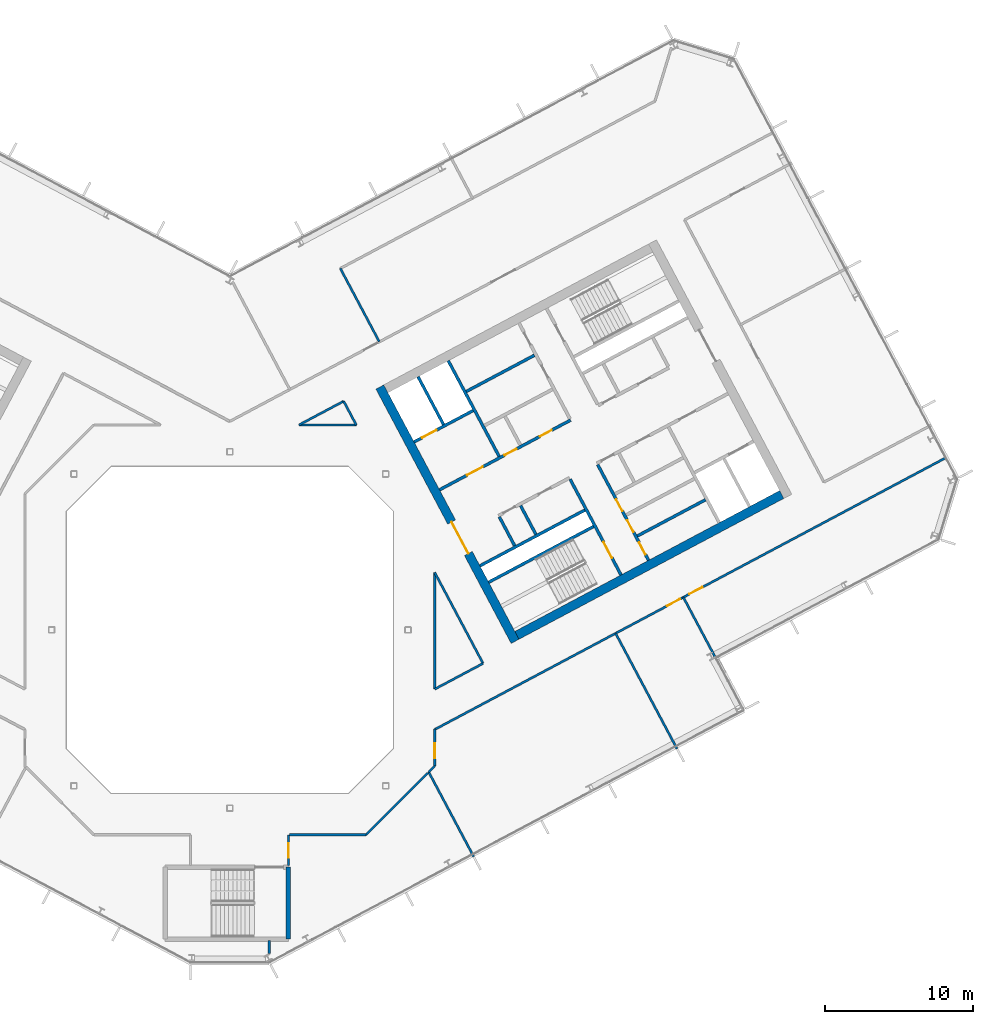
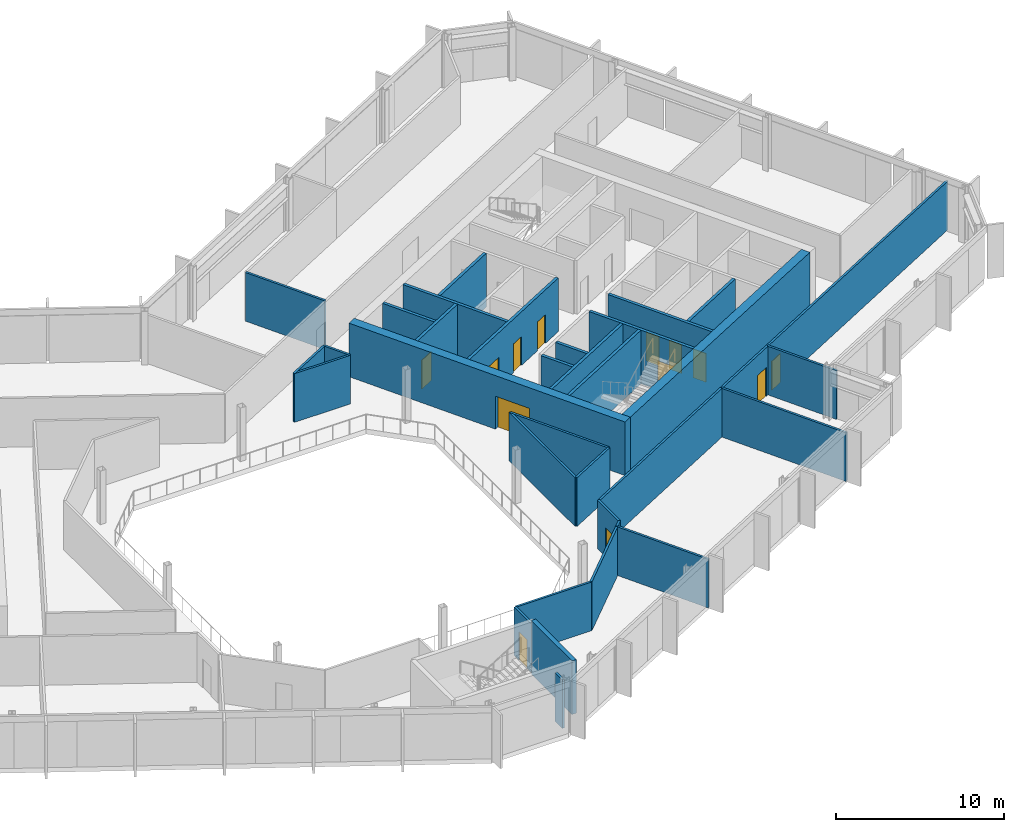
# One storey, part 15 of 26: 32 walls, 13 doors, 13 openings.
"""IFC4 building model written with IfcOpenShell, lengths in metres."""

from ifc_helpers import new_model, si_unit, direction, frame, frame_2d, origin, place, context, subcontext, project, spatial, rectangle, extrude, material, layer, layer_set, type_object, element, fill, save


model = new_model("IFC4")

# Units and contexts
model_context = context("Model", 3, precision=1e-05, world=origin(), true_north=direction((0.0, 1.0)))
body_context = subcontext(model_context, "Body", "Model", "MODEL_VIEW")
ifc_project = project(units=[si_unit("LENGTHUNIT", "METRE"), si_unit("AREAUNIT", "SQUARE_METRE"), si_unit("VOLUMEUNIT", "CUBIC_METRE"), si_unit("PLANEANGLEUNIT", "RADIAN"), si_unit("MASSUNIT", "GRAM", prefix="KILO")], contexts=[model_context])

# Site, building, storey
site_placement = place(None, origin())
site = spatial("IfcSite", under=ifc_project, at=site_placement, CompositionType="ELEMENT")
building_placement = place(site_placement, origin())
building = spatial("IfcBuilding", under=site, at=building_placement, Name="Cormorant Relay Tower", CompositionType="ELEMENT")
storey_placement = place(building_placement, frame((0.0, 0.0, 193.5)))
storey = spatial("IfcBuildingStorey", under=building, at=storey_placement, Name="L41", CompositionType="ELEMENT", Elevation=193.5)

# Walls
ifc_material_1 = material(Name="Concrete 40 MPa", Category="concrete")
ifc_layer_1 = layer(ifc_material_1, 0.199951171875)
ifc_layer_set_1 = layer_set([ifc_layer_1], Name="Core internal wall 200")
wall_type_1 = type_object("IfcWallType", Name="Core internal wall 200", PredefinedType="SOLIDWALL", material=ifc_layer_set_1)
wall_1_placement = place(storey_placement, frame((20.614013671875, 6.430419921875, 0.0), z_axis=(0.0, 0.0, 1.0), x_axis=(-0.4694473164, 0.882960484464, 0.0)))
element("IfcWall", 1, at=wall_1_placement, inside=storey, type_object=wall_type_1, Name="L41 core B shaft and room wall", PredefinedType="SOLIDWALL", context=body_context, shape_type="SweptSolid", body=[
    extrude(rectangle(XDim=2.199951171875, YDim=0.199951171875, at=frame_2d((1.10009765625, 0.0))), origin(), (0.0, 0.0, 1.0), 3.89990234375),
])
for number, where, z_axis, x_axis, name in (
    (2, (27.443359375, 6.32421875, 0.0), (0.0, 0.0, 1.0), (0.882953967957, 0.469459572775, 0.0), "L41 core B shaft and room wall"),
    (3, (15.92626953125, 16.056396484375, 0.0), (0.0, 0.0, 1.0), (0.882953967957, 0.469459572775, 0.0), "L41 core B shaft and room wall"),
):
    element("IfcWall", number, at=place(storey_placement, frame(where, z_axis=z_axis, x_axis=x_axis)), inside=storey, type_object=wall_type_1, Name=name, PredefinedType="SOLIDWALL", context=body_context, shape_type="SweptSolid", body=[
        extrude(rectangle(XDim=5.199951171875, YDim=0.199951171875, at=frame_2d((2.60009765625, 0.0))), origin(), (0.0, 0.0, 1.0), 3.89990234375),
    ])
ifc_material_2 = material(Name="Concrete 50 MPa", Category="concrete")
ifc_layer_2 = layer(ifc_material_2, 0.199951171875)
ifc_layer_set_2 = layer_set([ifc_layer_2], Name="Core shaft wall 200")
wall_type_2 = type_object("IfcWallType", Name="Core shaft wall 200", PredefinedType="SHEAR", material=ifc_layer_set_2)
wall_2_placement = place(storey_placement, frame((14.39404296875, 13.825927734375, 0.0), z_axis=(0.0, 0.0, 1.0), x_axis=(-0.469494272526, 0.882935517501, 0.0)))
element("IfcWall", 4, at=wall_2_placement, inside=storey, type_object=wall_type_2, Name="L41 core B shaft wall", PredefinedType="SHEAR", context=body_context, shape_type="SweptSolid", body=[
    extrude(rectangle(XDim=3.64990234375, YDim=0.199951171875, at=frame_2d((1.824951171875, 0.0))), origin(), (0.0, 0.0, 1.0), 3.89990234375),
])
wall_3_placement = place(storey_placement, frame((19.18359375, 5.669921875, 0.0), z_axis=(0.0, 0.0, 1.0), x_axis=(-0.4694473164, 0.882960484464, 0.0)))
element("IfcWall", 5, at=wall_3_placement, inside=storey, type_object=wall_type_2, Name="L41 core B shaft wall", PredefinedType="SHEAR", context=body_context, shape_type="SweptSolid", body=[
    extrude(rectangle(XDim=2.199951171875, YDim=0.199951171875, at=frame_2d((1.10009765625, 0.0))), origin(), (0.0, 0.0, 1.0), 3.89990234375),
])
wall_4_placement = place(storey_placement, frame((18.138427734375, 11.682861328125, 0.0), z_axis=(0.0, 0.0, 1.0), x_axis=(-0.469480409012, 0.88294288918, 0.0)))
element("IfcWall", 6, at=wall_4_placement, inside=storey, type_object=wall_type_2, Name="L41 core B shaft wall", PredefinedType="SHEAR", context=body_context, shape_type="SweptSolid", body=[
    extrude(rectangle(XDim=7.300048828125, YDim=0.199951171875, at=frame_2d((3.64990234375, 0.0))), origin(), (0.0, 0.0, 1.0), 3.89990234375),
])

# Wall, opening, door
wall_5_placement = place(storey_placement, frame((26.345947265625, 3.701904296875, 0.0), z_axis=(0.0, 0.0, 1.0), x_axis=(-0.469480409012, 0.88294288918, 0.0)))
wall_5 = element("IfcWall", 7, at=wall_5_placement, inside=storey, type_object=wall_type_2, Name="L41 core B shaft wall", PredefinedType="SHEAR", context=body_context, shape_type="SweptSolid", body=[
    extrude(rectangle(XDim=7.300048828125, YDim=0.199951171875, at=frame_2d((3.64990234375, 0.0))), origin(), (0.0, 0.0, 1.0), 3.89990234375),
])
opening_1_placement = place(wall_5_placement, frame((1.300048828125, 0.0, 0.0)))
opening_1 = element("IfcOpeningElement", 8, at=opening_1_placement, cuts=wall_5, Name="Opening CDB-040", PredefinedType="OPENING", context=body_context, shape_type="SweptSolid", body=[
    extrude(rectangle(XDim=1.199951171875, YDim=2.10009765625, at=frame_2d((0.60009765625, 1.050048828125))), frame((0.0, 0.10986328125, 0.0), z_axis=(0.0, -1.0, 0.0), x_axis=(1.0, 0.0, 0.0)), (0.0, 0.0, 1.0), 0.219970703125),
])
ifc_material_3 = material(Name="Steel fire door", Category="steel")
door_type_1 = type_object("IfcDoorType", Name="Core stair door 1200x2100", OperationType="SINGLE_SWING_LEFT", PredefinedType="DOOR", material=ifc_material_3)
door_1_placement = place(opening_1_placement, origin())
door_1 = element("IfcDoor", 9, at=door_1_placement, inside=storey, type_object=door_type_1, Name="Core stair door 1200x2100", OperationType="SINGLE_SWING_RIGHT", OverallHeight=2.10009765625, OverallWidth=1.199951171875, PredefinedType="DOOR", context=body_context, shape_type="SweptSolid", body=[
    extrude(rectangle(XDim=1.199951171875, YDim=2.10009765625, at=frame_2d((0.60009765625, 1.050048828125))), frame((0.0, 0.02490234375, 0.0), z_axis=(0.0, -1.0, 0.0), x_axis=(1.0, 0.0, 0.0)), (0.0, 0.0, 1.0), 0.050048828125),
])
fill(opening_1, door_1)

# Wall, openings, doors
wall_6_placement = place(storey_placement, frame((28.199951171875, 4.687744140625, 0.0), z_axis=(0.0, 0.0, 1.0), x_axis=(-0.469454336211, 0.882956752176, 0.0)))
wall_6 = element("IfcWall", 10, at=wall_6_placement, inside=storey, type_object=wall_type_2, Name="L41 core B shaft wall", PredefinedType="SHEAR", context=body_context, shape_type="SweptSolid", body=[
    extrude(rectangle(XDim=7.300048828125, YDim=0.199951171875, at=frame_2d((3.64990234375, 0.0))), origin(), (0.0, 0.0, 1.0), 3.89990234375),
])
opening_2_placement = place(wall_6_placement, frame((0.449951171875, 0.0, 0.0)))
opening_2 = element("IfcOpeningElement", 11, at=opening_2_placement, cuts=wall_6, Name="Opening CDD-251", PredefinedType="OPENING", context=body_context, shape_type="SweptSolid", body=[
    extrude(rectangle(XDim=0.89990234375, YDim=2.10009765625, at=frame_2d((0.449951171875, 1.050048828125))), frame((0.0, 0.10986328125, 0.0), z_axis=(0.0, -1.0, 0.0), x_axis=(1.0, 0.0, 0.0)), (0.0, 0.0, 1.0), 0.219970703125),
])
opening_3_placement = place(wall_6_placement, frame((2.14990234375, 0.0, 0.0)))
opening_3 = element("IfcOpeningElement", 12, at=opening_3_placement, cuts=wall_6, Name="Opening CDD-252", PredefinedType="OPENING", context=body_context, shape_type="SweptSolid", body=[
    extrude(rectangle(XDim=0.89990234375, YDim=2.10009765625, at=frame_2d((0.449951171875, 1.050048828125))), frame((0.0, 0.10986328125, 0.0), z_axis=(0.0, -1.0, 0.0), x_axis=(1.0, 0.0, 0.0)), (0.0, 0.0, 1.0), 0.219970703125),
])
opening_4_placement = place(wall_6_placement, frame((3.75, 0.0, 0.0)))
opening_4 = element("IfcOpeningElement", 13, at=opening_4_placement, cuts=wall_6, Name="Opening CDD-253", PredefinedType="OPENING", context=body_context, shape_type="SweptSolid", body=[
    extrude(rectangle(XDim=0.89990234375, YDim=2.10009765625, at=frame_2d((0.449951171875, 1.050048828125))), frame((0.0, 0.10986328125, 0.0), z_axis=(0.0, -1.0, 0.0), x_axis=(1.0, 0.0, 0.0)), (0.0, 0.0, 1.0), 0.219970703125),
])
ifc_material_4 = material(Name="Steel fire door", Category="steel")
door_type_2 = type_object("IfcDoorType", Name="Core room door 900x2100", OperationType="SINGLE_SWING_LEFT", PredefinedType="DOOR", material=ifc_material_4)
door_2_placement = place(opening_2_placement, frame((0.89990234375, 0.0, 0.0), z_axis=(0.0, 0.0, 1.0), x_axis=(-1.0, 0.0, 0.0)))
door_2 = element("IfcDoor", 14, at=door_2_placement, inside=storey, type_object=door_type_2, Name="Core room door 900x2100", OperationType="SINGLE_SWING_LEFT", OverallHeight=2.10009765625, OverallWidth=0.89990234375, PredefinedType="DOOR", context=body_context, shape_type="SweptSolid", body=[
    extrude(rectangle(XDim=0.89990234375, YDim=2.10009765625, at=frame_2d((0.449951171875, 1.050048828125))), frame((0.0, 0.02490234375, 0.0), z_axis=(0.0, -1.0, 0.0), x_axis=(1.0, 0.0, 0.0)), (0.0, 0.0, 1.0), 0.050048828125),
])
fill(opening_2, door_2)
door_3_placement = place(opening_3_placement, frame((0.89990234375, 0.0, 0.0), z_axis=(0.0, 0.0, 1.0), x_axis=(-1.0, 0.0, 0.0)))
door_3 = element("IfcDoor", 15, at=door_3_placement, inside=storey, type_object=door_type_2, Name="Core room door 900x2100", OperationType="SINGLE_SWING_LEFT", OverallHeight=2.10009765625, OverallWidth=0.89990234375, PredefinedType="DOOR", context=body_context, shape_type="SweptSolid", body=[
    extrude(rectangle(XDim=0.89990234375, YDim=2.10009765625, at=frame_2d((0.449951171875, 1.050048828125))), frame((0.0, 0.02490234375, 0.0), z_axis=(0.0, -1.0, 0.0), x_axis=(1.0, 0.0, 0.0)), (0.0, 0.0, 1.0), 0.050048828125),
])
fill(opening_3, door_3)
door_4_placement = place(opening_4_placement, frame((0.89990234375, 0.0, 0.0), z_axis=(0.0, 0.0, 1.0), x_axis=(-1.0, 0.0, 0.0)))
door_4 = element("IfcDoor", 16, at=door_4_placement, inside=storey, type_object=door_type_2, Name="Core room door 900x2100", OperationType="SINGLE_SWING_LEFT", OverallHeight=2.10009765625, OverallWidth=0.89990234375, PredefinedType="DOOR", context=body_context, shape_type="SweptSolid", body=[
    extrude(rectangle(XDim=0.89990234375, YDim=2.10009765625, at=frame_2d((0.449951171875, 1.050048828125))), frame((0.0, 0.02490234375, 0.0), z_axis=(0.0, -1.0, 0.0), x_axis=(1.0, 0.0, 0.0)), (0.0, 0.0, 1.0), 0.050048828125),
])
fill(opening_4, door_4)

# Walls
for number, where, z_axis, x_axis, name in (
    (17, (17.43359375, 3.210205078125, 0.0), (0.0, 0.0, 1.0), (0.882940221191, 0.469485426614, 0.0), "L41 core B shaft wall"),
    (18, (16.8466796875, 4.31396484375, 0.0), (0.0, 0.0, 1.0), (0.882940221191, 0.469485426614, 0.0), "L41 core B shaft wall"),
):
    element("IfcWall", number, at=place(storey_placement, frame(where, z_axis=z_axis, x_axis=x_axis)), inside=storey, type_object=wall_type_2, Name=name, PredefinedType="SHEAR", context=body_context, shape_type="SweptSolid", body=[
        extrude(rectangle(XDim=8.0, YDim=0.199951171875, at=frame_2d((4.0, 0.0))), origin(), (0.0, 0.0, 1.0), 3.89990234375),
    ])

# Wall, openings, doors
wall_7_placement = place(storey_placement, frame((14.123779296875, 9.43505859375, 0.0), z_axis=(0.0, 0.0, 1.0), x_axis=(0.882940221191, 0.469485426614, 0.0)))
wall_7 = element("IfcWall", 19, at=wall_7_placement, inside=storey, type_object=wall_type_2, Name="L41 core B shaft wall", PredefinedType="SHEAR", context=body_context, shape_type="SweptSolid", body=[
    extrude(rectangle(XDim=10.0, YDim=0.199951171875, at=frame_2d((5.0, 0.0))), origin(), (0.0, 0.0, 1.0), 3.89990234375),
])
opening_5_placement = place(wall_7_placement, frame((2.10009765625, 0.0, 0.0)))
opening_5 = element("IfcOpeningElement", 20, at=opening_5_placement, cuts=wall_7, Name="Opening CDC-035", PredefinedType="OPENING", context=body_context, shape_type="SweptSolid", body=[
    extrude(rectangle(XDim=1.199951171875, YDim=2.10009765625, at=frame_2d((0.60009765625, 1.050048828125))), frame((0.0, 0.10986328125, 0.0), z_axis=(0.0, -1.0, 0.0), x_axis=(1.0, 0.0, 0.0)), (0.0, 0.0, 1.0), 0.219970703125),
])
opening_6_placement = place(wall_7_placement, frame((4.9599609375, 0.0, 0.0)))
opening_6 = element("IfcOpeningElement", 21, at=opening_6_placement, cuts=wall_7, Name="Opening CDD-241", PredefinedType="OPENING", context=body_context, shape_type="SweptSolid", body=[
    extrude(rectangle(XDim=0.89990234375, YDim=2.10009765625, at=frame_2d((0.449951171875, 1.050048828125))), frame((0.0, 0.10986328125, 0.0), z_axis=(0.0, -1.0, 0.0), x_axis=(1.0, 0.0, 0.0)), (0.0, 0.0, 1.0), 0.219970703125),
])
opening_7_placement = place(wall_7_placement, frame((7.659912109375, 0.0, 0.0)))
opening_7 = element("IfcOpeningElement", 22, at=opening_7_placement, cuts=wall_7, Name="Opening CDD-242", PredefinedType="OPENING", context=body_context, shape_type="SweptSolid", body=[
    extrude(rectangle(XDim=0.89990234375, YDim=2.10009765625, at=frame_2d((0.449951171875, 1.050048828125))), frame((0.0, 0.10986328125, 0.0), z_axis=(0.0, -1.0, 0.0), x_axis=(1.0, 0.0, 0.0)), (0.0, 0.0, 1.0), 0.219970703125),
])
ifc_material_5 = material(Name="Steel fire door", Category="steel")
door_type_3 = type_object("IfcDoorType", Name="Core lobby door 1200x2100", OperationType="SINGLE_SWING_LEFT", PredefinedType="DOOR", material=ifc_material_5)
door_5_placement = place(opening_5_placement, frame((1.199951171875, 0.0, 0.0), z_axis=(0.0, 0.0, 1.0), x_axis=(-1.0, 0.0, 0.0)))
door_5 = element("IfcDoor", 23, at=door_5_placement, inside=storey, type_object=door_type_3, Name="Core lobby door 1200x2100", OperationType="SINGLE_SWING_RIGHT", OverallHeight=2.10009765625, OverallWidth=1.199951171875, PredefinedType="DOOR", context=body_context, shape_type="SweptSolid", body=[
    extrude(rectangle(XDim=1.199951171875, YDim=2.10009765625, at=frame_2d((0.60009765625, 1.050048828125))), frame((0.0, 0.02490234375, 0.0), z_axis=(0.0, -1.0, 0.0), x_axis=(1.0, 0.0, 0.0)), (0.0, 0.0, 1.0), 0.050048828125),
])
fill(opening_5, door_5)
door_6_placement = place(opening_6_placement, frame((0.89990234375, 0.0, 0.0), z_axis=(0.0, 0.0, 1.0), x_axis=(-1.0, 0.0, 0.0)))
door_6 = element("IfcDoor", 24, at=door_6_placement, inside=storey, type_object=door_type_2, Name="Core room door 900x2100", OperationType="SINGLE_SWING_RIGHT", OverallHeight=2.10009765625, OverallWidth=0.89990234375, PredefinedType="DOOR", context=body_context, shape_type="SweptSolid", body=[
    extrude(rectangle(XDim=0.89990234375, YDim=2.10009765625, at=frame_2d((0.449951171875, 1.050048828125))), frame((0.0, 0.02490234375, 0.0), z_axis=(0.0, -1.0, 0.0), x_axis=(1.0, 0.0, 0.0)), (0.0, 0.0, 1.0), 0.050048828125),
])
fill(opening_6, door_6)
door_7_placement = place(opening_7_placement, frame((0.89990234375, 0.0, 0.0), z_axis=(0.0, 0.0, 1.0), x_axis=(-1.0, 0.0, 0.0)))
door_7 = element("IfcDoor", 25, at=door_7_placement, inside=storey, type_object=door_type_2, Name="Core room door 900x2100", OperationType="SINGLE_SWING_RIGHT", OverallHeight=2.10009765625, OverallWidth=0.89990234375, PredefinedType="DOOR", context=body_context, shape_type="SweptSolid", body=[
    extrude(rectangle(XDim=0.89990234375, YDim=2.10009765625, at=frame_2d((0.449951171875, 1.050048828125))), frame((0.0, 0.02490234375, 0.0), z_axis=(0.0, -1.0, 0.0), x_axis=(1.0, 0.0, 0.0)), (0.0, 0.0, 1.0), 0.050048828125),
])
fill(opening_7, door_7)

# Wall, opening, door
wall_8_placement = place(storey_placement, frame((12.41015625, 12.657958984375, 0.0), z_axis=(0.0, 0.0, 1.0), x_axis=(0.8829484765, 0.469469900894, 0.0)))
wall_8 = element("IfcWall", 26, at=wall_8_placement, inside=storey, type_object=wall_type_2, Name="L41 core B shaft wall", PredefinedType="SHEAR", context=body_context, shape_type="SweptSolid", body=[
    extrude(rectangle(XDim=4.499755859375, YDim=0.199951171875, at=frame_2d((2.25, 0.0))), origin(), (0.0, 0.0, 1.0), 3.89990234375),
])
opening_8_placement = place(wall_8_placement, frame((0.60009765625, 0.0, 0.0)))
opening_8 = element("IfcOpeningElement", 27, at=opening_8_placement, cuts=wall_8, Name="Opening LD1-064", PredefinedType="OPENING", context=body_context, shape_type="SweptSolid", body=[
    extrude(rectangle(XDim=1.10009765625, YDim=2.10009765625, at=frame_2d((0.550048828125, 1.050048828125))), frame((0.0, 0.10986328125, 0.0), z_axis=(0.0, -1.0, 0.0), x_axis=(1.0, 0.0, 0.0)), (0.0, 0.0, 1.0), 0.219970703125),
])
ifc_material_6 = material(Name="Stainless steel 316", Category="steel")
door_type_4 = type_object("IfcDoorType", Name="Lift landing door 1100x2100", OperationType="DOUBLE_DOOR_SLIDING", PredefinedType="DOOR", material=ifc_material_6)
door_8_placement = place(opening_8_placement, origin())
door_8 = element("IfcDoor", 28, at=door_8_placement, inside=storey, type_object=door_type_4, Name="FF2 landing door", OperationType="DOUBLE_DOOR_SLIDING", OverallHeight=2.10009765625, OverallWidth=1.10009765625, PredefinedType="DOOR", context=body_context, shape_type="SweptSolid", body=[
    extrude(rectangle(XDim=1.10009765625, YDim=2.10009765625, at=frame_2d((0.550048828125, 1.050048828125))), frame((0.0, 0.02490234375, 0.0), z_axis=(0.0, -1.0, 0.0), x_axis=(1.0, 0.0, 0.0)), (0.0, 0.0, 1.0), 0.050048828125),
])
fill(opening_8, door_8)

ifc_material_7 = material(Name="Concrete 50 MPa", Category="concrete")
ifc_layer_3 = layer(ifc_material_7, 0.60009765625)
ifc_layer_set_3 = layer_set([ifc_layer_3], Name="Core wall 600")
wall_type_3 = type_object("IfcWallType", Name="Core wall 600", PredefinedType="SHEAR", material=ifc_layer_set_3)
wall_9_placement = place(storey_placement, frame((19.210693359375, -0.771484375, 0.0), z_axis=(0.0, 0.0, 1.0), x_axis=(-0.469463742137, 0.882951751127, 0.0)))
wall_9 = element("IfcWall", 29, at=wall_9_placement, inside=storey, type_object=wall_type_3, Name="L41 core B wall", PredefinedType="SHEAR", context=body_context, shape_type="SweptSolid", body=[
    extrude(rectangle(XDim=19.400146484375, YDim=0.60009765625, at=frame_2d((9.7001953125, 0.0))), origin(), (0.0, 0.0, 1.0), 3.89990234375),
])
opening_9_placement = place(wall_9_placement, frame((6.699951171875, 0.0, 0.0)))
opening_9 = element("IfcOpeningElement", 30, at=opening_9_placement, cuts=wall_9, Name="Opening CDA-042", PredefinedType="OPENING", context=body_context, shape_type="SweptSolid", body=[
    extrude(rectangle(XDim=2.39990234375, YDim=2.39990234375, at=frame_2d((1.199951171875, 1.199951171875))), frame((0.0, 0.31005859375, 0.0), z_axis=(0.0, -1.0, 0.0), x_axis=(1.0, 0.0, 0.0)), (0.0, 0.0, 1.0), 0.6201171875),
])
ifc_material_8 = material(Name="Steel fire door", Category="steel")
door_type_5 = type_object("IfcDoorType", Name="Core lobby door 2400x2400", OperationType="DOUBLE_DOOR_SINGLE_SWING", PredefinedType="DOOR", material=ifc_material_8)
door_9_placement = place(opening_9_placement, frame((2.39990234375, 0.0, 0.0), z_axis=(0.0, 0.0, 1.0), x_axis=(-1.0, 0.0, 0.0)))
door_9 = element("IfcDoor", 31, at=door_9_placement, inside=storey, type_object=door_type_5, Name="Core lobby door 2400x2400", OperationType="DOUBLE_DOOR_SINGLE_SWING", OverallHeight=2.39990234375, OverallWidth=2.39990234375, PredefinedType="DOOR", context=body_context, shape_type="SweptSolid", body=[
    extrude(rectangle(XDim=2.39990234375, YDim=2.39990234375, at=frame_2d((1.199951171875, 1.199951171875))), frame((0.0, 0.02490234375, 0.0), z_axis=(0.0, -1.0, 0.0), x_axis=(1.0, 0.0, 0.0)), (0.0, 0.0, 1.0), 0.050048828125),
])
fill(opening_9, door_9)

# Wall
wall_10_placement = place(storey_placement, frame((19.3349609375, -0.36572265625, 0.0), z_axis=(0.0, 0.0, 1.0), x_axis=(0.88294509198, 0.469476266226, 0.0)))
element("IfcWall", 32, at=wall_10_placement, inside=storey, type_object=wall_type_3, Name="L41 core B wall", PredefinedType="SHEAR", context=body_context, shape_type="SweptSolid", body=[
    extrude(rectangle(XDim=20.199951171875, YDim=0.60009765625, at=frame_2d((10.10009765625, 0.0))), origin(), (0.0, 0.0, 1.0), 3.89990234375),
])

# Wall, opening, door
ifc_material_9 = material(Name="Gypsum board fire partition")
ifc_layer_4 = layer(ifc_material_9, 0.14990234375)
ifc_layer_set_4 = layer_set([ifc_layer_4], Name="Corridor partition 150 EI 60")
wall_type_4 = type_object("IfcWallType", Name="Corridor partition 150 EI 60", PredefinedType="PARTITIONING", material=ifc_layer_set_4)
wall_11_placement = place(storey_placement, frame((3.949951171875, -13.800048828125, 0.0), z_axis=(0.0, 0.0, 1.0), x_axis=(0.0, -1.0, 0.0)))
wall_11 = element("IfcWall", 33, at=wall_11_placement, inside=storey, type_object=wall_type_4, Name="wall/L41/part/026", PredefinedType="PARTITIONING", context=body_context, shape_type="SweptSolid", body=[
    extrude(rectangle(XDim=2.074951171875, YDim=0.14990234375, at=frame_2d((1.03759765625, 0.0))), origin(), (0.0, 0.0, 1.0), 3.5400390625),
])
opening_10_placement = place(wall_11_placement, frame((0.550048828125, 0.0, 0.0)))
opening_10 = element("IfcOpeningElement", 34, at=opening_10_placement, cuts=wall_11, Name="Opening DS-107", PredefinedType="OPENING", context=body_context, shape_type="SweptSolid", body=[
    extrude(rectangle(XDim=1.0, YDim=2.10009765625, at=frame_2d((0.5, 1.050048828125))), frame((0.0, 0.0849609375, 0.0), z_axis=(0.0, -1.0, 0.0), x_axis=(1.0, 0.0, 0.0)), (0.0, 0.0, 1.0), 0.169921875),
])
ifc_material_10 = material(Name="Timber door leaf", Category="wood")
door_type_6 = type_object("IfcDoorType", Name="Suite door 1000x2100", OperationType="SINGLE_SWING_LEFT", PredefinedType="DOOR", material=ifc_material_10)
door_10_placement = place(opening_10_placement, origin())
door_10 = element("IfcDoor", 35, at=door_10_placement, inside=storey, type_object=door_type_6, Name="door/L41/001", OperationType="SINGLE_SWING_LEFT", OverallHeight=2.10009765625, OverallWidth=1.0, PredefinedType="DOOR", context=body_context, shape_type="SweptSolid", body=[
    extrude(rectangle(XDim=1.0, YDim=2.10009765625, at=frame_2d((0.5, 1.050048828125))), frame((0.0, 0.02490234375, 0.0), z_axis=(0.0, -1.0, 0.0), x_axis=(1.0, 0.0, 0.0)), (0.0, 0.0, 1.0), 0.050048828125),
])
fill(opening_10, door_10)

# Walls
wall_12_placement = place(storey_placement, frame((13.3310546875, -9.62890625, 0.0), z_axis=(0.0, 0.0, 1.0), x_axis=(-0.707106781187, -0.707106781187, 0.0)))
element("IfcWall", 36, at=wall_12_placement, inside=storey, type_object=wall_type_4, Name="wall/L41/part/027", PredefinedType="PARTITIONING", context=body_context, shape_type="SweptSolid", body=[
    extrude(rectangle(XDim=5.89892578125, YDim=0.14990234375, at=frame_2d((2.949462890625, 0.0))), origin(), (0.0, 0.0, 1.0), 3.5400390625),
])
wall_13_placement = place(storey_placement, frame((9.159912109375, -13.800048828125, 0.0), z_axis=(0.0, 0.0, 1.0), x_axis=(-1.0, 0.0, 0.0)))
element("IfcWall", 37, at=wall_13_placement, inside=storey, type_object=wall_type_4, Name="wall/L41/part/028", PredefinedType="PARTITIONING", context=body_context, shape_type="SweptSolid", body=[
    extrude(rectangle(XDim=5.135009765625, YDim=0.14990234375, at=frame_2d((2.5673828125, 0.0))), origin(), (0.0, 0.0, 1.0), 3.5400390625),
])

# Wall, opening, door
wall_14_placement = place(storey_placement, frame((13.800048828125, -6.656005859375, 0.0), z_axis=(0.0, 0.0, 1.0), x_axis=(0.0, -1.0, 0.0)))
wall_14 = element("IfcWall", 38, at=wall_14_placement, inside=storey, type_object=wall_type_4, Name="wall/L41/part/032", PredefinedType="PARTITIONING", context=body_context, shape_type="SweptSolid", body=[
    extrude(rectangle(XDim=2.50390625, YDim=0.14990234375, at=frame_2d((1.251953125, 0.0))), origin(), (0.0, 0.0, 1.0), 3.5400390625),
])
opening_11_placement = place(wall_14_placement, frame((0.98193359375, 0.0, 0.0)))
opening_11 = element("IfcOpeningElement", 39, at=opening_11_placement, cuts=wall_14, Name="Opening DS-108", PredefinedType="OPENING", context=body_context, shape_type="SweptSolid", body=[
    extrude(rectangle(XDim=1.0, YDim=2.10009765625, at=frame_2d((0.5, 1.050048828125))), frame((0.0, 0.0849609375, 0.0), z_axis=(0.0, -1.0, 0.0), x_axis=(1.0, 0.0, 0.0)), (0.0, 0.0, 1.0), 0.169921875),
])
door_11_placement = place(opening_11_placement, origin())
door_11 = element("IfcDoor", 40, at=door_11_placement, inside=storey, type_object=door_type_6, Name="door/L41/002", OperationType="SINGLE_SWING_LEFT", OverallHeight=2.10009765625, OverallWidth=1.0, PredefinedType="DOOR", context=body_context, shape_type="SweptSolid", body=[
    extrude(rectangle(XDim=1.0, YDim=2.10009765625, at=frame_2d((0.5, 1.050048828125))), frame((0.0, 0.02490234375, 0.0), z_axis=(0.0, -1.0, 0.0), x_axis=(1.0, 0.0, 0.0)), (0.0, 0.0, 1.0), 0.050048828125),
])
fill(opening_11, door_11)

# Wall
wall_15_placement = place(storey_placement, frame((13.39501953125, -9.56494140625, 0.0), z_axis=(0.0, 0.0, 1.0), x_axis=(0.706254846232, 0.707957690949, 0.0)))
element("IfcWall", 41, at=wall_15_placement, inside=storey, type_object=wall_type_4, Name="wall/L41/part/033", PredefinedType="PARTITIONING", context=body_context, shape_type="SweptSolid", body=[
    extrude(rectangle(XDim=0.573486328125, YDim=0.14990234375, at=frame_2d((0.28662109375, 0.0))), origin(), (0.0, 0.0, 1.0), 3.5400390625),
])

# Wall, openings, doors
wall_16_placement = place(storey_placement, frame((48.3798828125, 11.678955078125, 0.0), z_axis=(0.0, 0.0, 1.0), x_axis=(-0.882962559816, -0.469443412951, 0.0)))
wall_16 = element("IfcWall", 42, at=wall_16_placement, inside=storey, type_object=wall_type_4, Name="wall/L41/part/035", PredefinedType="PARTITIONING", context=body_context, shape_type="SweptSolid", body=[
    extrude(rectangle(XDim=39.163330078125, YDim=0.14990234375, at=frame_2d((19.58154296875, 0.0))), origin(), (0.0, 0.0, 1.0), 3.5400390625),
])
opening_12_placement = place(wall_16_placement, frame((20.449951171875, 0.0, 0.0)))
opening_12 = element("IfcOpeningElement", 43, at=opening_12_placement, cuts=wall_16, Name="Opening DS-109", PredefinedType="OPENING", context=body_context, shape_type="SweptSolid", body=[
    extrude(rectangle(XDim=1.0, YDim=2.10009765625, at=frame_2d((0.5, 1.050048828125))), frame((0.0, 0.0849609375, 0.0), z_axis=(0.0, -1.0, 0.0), x_axis=(1.0, 0.0, 0.0)), (0.0, 0.0, 1.0), 0.169921875),
])
opening_13_placement = place(wall_16_placement, frame((18.75, 0.0, 0.0)))
opening_13 = element("IfcOpeningElement", 44, at=opening_13_placement, cuts=wall_16, Name="Opening DS-110", PredefinedType="OPENING", context=body_context, shape_type="SweptSolid", body=[
    extrude(rectangle(XDim=1.0, YDim=2.10009765625, at=frame_2d((0.5, 1.050048828125))), frame((0.0, 0.0849609375, 0.0), z_axis=(0.0, -1.0, 0.0), x_axis=(1.0, 0.0, 0.0)), (0.0, 0.0, 1.0), 0.169921875),
])
door_12_placement = place(opening_12_placement, origin())
door_12 = element("IfcDoor", 45, at=door_12_placement, inside=storey, type_object=door_type_6, Name="door/L41/003", OperationType="SINGLE_SWING_LEFT", OverallHeight=2.10009765625, OverallWidth=1.0, PredefinedType="DOOR", context=body_context, shape_type="SweptSolid", body=[
    extrude(rectangle(XDim=1.0, YDim=2.10009765625, at=frame_2d((0.5, 1.050048828125))), frame((0.0, 0.02490234375, 0.0), z_axis=(0.0, -1.0, 0.0), x_axis=(1.0, 0.0, 0.0)), (0.0, 0.0, 1.0), 0.050048828125),
])
fill(opening_12, door_12)
door_13_placement = place(opening_13_placement, origin())
door_13 = element("IfcDoor", 46, at=door_13_placement, inside=storey, type_object=door_type_6, Name="door/L41/004", OperationType="SINGLE_SWING_RIGHT", OverallHeight=2.10009765625, OverallWidth=1.0, PredefinedType="DOOR", context=body_context, shape_type="SweptSolid", body=[
    extrude(rectangle(XDim=1.0, YDim=2.10009765625, at=frame_2d((0.5, 1.050048828125))), frame((0.0, 0.02490234375, 0.0), z_axis=(0.0, -1.0, 0.0), x_axis=(1.0, 0.0, 0.0)), (0.0, 0.0, 1.0), 0.050048828125),
])
fill(opening_13, door_13)

# Walls
wall_17_placement = place(storey_placement, frame((4.653076171875, 13.800048828125, 0.0), z_axis=(0.0, 0.0, 1.0), x_axis=(1.0, 0.0, 0.0)))
element("IfcWall", 47, at=wall_17_placement, inside=storey, type_object=wall_type_4, Name="wall/L41/part/050", PredefinedType="PARTITIONING", context=body_context, shape_type="SweptSolid", body=[
    extrude(rectangle(XDim=3.864990234375, YDim=0.14990234375, at=frame_2d((1.9326171875, 0.0))), origin(), (0.0, 0.0, 1.0), 3.5400390625),
])
wall_18_placement = place(storey_placement, frame((8.51806640625, 13.800048828125, 0.0), z_axis=(0.0, 0.0, 1.0), x_axis=(-0.469148666032, 0.883119204389, 0.0)))
element("IfcWall", 48, at=wall_18_placement, inside=storey, type_object=wall_type_4, Name="wall/L41/part/051", PredefinedType="PARTITIONING", context=body_context, shape_type="SweptSolid", body=[
    extrude(rectangle(XDim=1.81396484375, YDim=0.14990234375, at=frame_2d((0.906982421875, 0.0))), origin(), (0.0, 0.0, 1.0), 3.5400390625),
])
wall_19_placement = place(storey_placement, frame((7.6669921875, 15.402099609375, 0.0), z_axis=(0.0, 0.0, 1.0), x_axis=(-0.883005489543, -0.469362658759, 0.0)))
element("IfcWall", 49, at=wall_19_placement, inside=storey, type_object=wall_type_4, Name="wall/L41/part/052", PredefinedType="PARTITIONING", context=body_context, shape_type="SweptSolid", body=[
    extrude(rectangle(XDim=3.413330078125, YDim=0.14990234375, at=frame_2d((1.70654296875, 0.0))), origin(), (0.0, 0.0, 1.0), 3.5400390625),
])
wall_20_placement = place(storey_placement, frame((17.055908203125, -2.257080078125, 0.0), z_axis=(0.0, 0.0, 1.0), x_axis=(-0.469433160251, 0.882968010778, 0.0)))
element("IfcWall", 50, at=wall_20_placement, inside=storey, type_object=wall_type_4, Name="wall/L41/part/053", PredefinedType="PARTITIONING", context=body_context, shape_type="SweptSolid", body=[
    extrude(rectangle(XDim=6.935791015625, YDim=0.14990234375, at=frame_2d((3.4677734375, 0.0))), origin(), (0.0, 0.0, 1.0), 3.5400390625),
])
wall_21_placement = place(storey_placement, frame((13.800048828125, 3.866943359375, 0.0), z_axis=(0.0, 0.0, 1.0), x_axis=(0.0, -1.0, 0.0)))
element("IfcWall", 51, at=wall_21_placement, inside=storey, type_object=wall_type_4, Name="wall/L41/part/054", PredefinedType="PARTITIONING", context=body_context, shape_type="SweptSolid", body=[
    extrude(rectangle(XDim=7.85498046875, YDim=0.14990234375, at=frame_2d((3.927490234375, 0.0))), origin(), (0.0, 0.0, 1.0), 3.5400390625),
])
wall_22_placement = place(storey_placement, frame((13.800048828125, -3.988037109375, 0.0), z_axis=(0.0, 0.0, 1.0), x_axis=(0.882971660552, 0.469426295239, 0.0)))
element("IfcWall", 52, at=wall_22_placement, inside=storey, type_object=wall_type_4, Name="wall/L41/part/055", PredefinedType="PARTITIONING", context=body_context, shape_type="SweptSolid", body=[
    extrude(rectangle(XDim=3.6875, YDim=0.14990234375, at=frame_2d((1.84375, 0.0))), origin(), (0.0, 0.0, 1.0), 3.5400390625),
])
ifc_material_11 = material(Name="Concrete 50 MPa", Category="concrete")
ifc_layer_5 = layer(ifc_material_11, 0.300048828125)
ifc_layer_set_5 = layer_set([ifc_layer_5], Name="Remote stair wall 300")
wall_type_5 = type_object("IfcWallType", Name="Remote stair wall 300", PredefinedType="SHEAR", material=ifc_layer_set_5)
wall_23_placement = place(storey_placement, frame((3.949951171875, -15.97509765625, 0.0), z_axis=(0.0, 0.0, 1.0), x_axis=(0.0, -1.0, 0.0)))
element("IfcWall", 53, at=wall_23_placement, inside=storey, type_object=wall_type_5, Name="L41 exit stair RK1 wall", PredefinedType="SHEAR", context=body_context, shape_type="SweptSolid", body=[
    extrude(rectangle(XDim=4.849853515625, YDim=0.300048828125, at=frame_2d((2.4248046875, 0.0))), origin(), (0.0, 0.0, 1.0), 3.89990234375),
])
ifc_material_12 = material(Name="Gypsum board partition")
ifc_layer_6 = layer(ifc_material_12, 0.14990234375)
ifc_layer_set_6 = layer_set([ifc_layer_6], Name="Tenant partition 150")
wall_type_6 = type_object("IfcWallType", Name="Tenant partition 150", PredefinedType="PARTITIONING", material=ifc_layer_set_6)
wall_24_placement = place(storey_placement, frame((2.64892578125, -21.799072265625, 0.0), z_axis=(0.0, 0.0, 1.0), x_axis=(0.0, 1.0, 0.0)))
element("IfcWall", 54, at=wall_24_placement, inside=storey, type_object=wall_type_6, Name="wall/L41/part/025", PredefinedType="PARTITIONING", context=body_context, shape_type="SweptSolid", body=[
    extrude(rectangle(XDim=0.8740234375, YDim=0.14990234375, at=frame_2d((0.43701171875, 0.0))), origin(), (0.0, 0.0, 1.0), 3.5400390625),
])
wall_25_placement = place(storey_placement, frame((7.443115234375, 24.343994140625, 0.0), z_axis=(0.0, 0.0, 1.0), x_axis=(0.46934602066, -0.883014333344, 0.0)))
element("IfcWall", 55, at=wall_25_placement, inside=storey, type_object=wall_type_6, Name="wall/L41/part/029", PredefinedType="PARTITIONING", context=body_context, shape_type="SweptSolid", body=[
    extrude(rectangle(XDim=5.58203125, YDim=0.14990234375, at=frame_2d((2.791015625, 0.0))), origin(), (0.0, 0.0, 1.0), 3.5400390625),
])
wall_26_placement = place(storey_placement, frame((13.39306640625, -9.56689453125, 0.0), z_axis=(0.0, 0.0, 1.0), x_axis=(0.469578527863, -0.882890710207, 0.0)))
element("IfcWall", 56, at=wall_26_placement, inside=storey, type_object=wall_type_6, Name="wall/L41/part/031", PredefinedType="PARTITIONING", context=body_context, shape_type="SweptSolid", body=[
    extrude(rectangle(XDim=6.465087890625, YDim=0.14990234375, at=frame_2d((3.232421875, 0.0))), origin(), (0.0, 0.0, 1.0), 3.5400390625),
])
wall_27_placement = place(storey_placement, frame((25.98193359375, -0.22900390625, 0.0), z_axis=(0.0, 0.0, 1.0), x_axis=(0.469445946219, -0.882961212952, 0.0)))
element("IfcWall", 57, at=wall_27_placement, inside=storey, type_object=wall_type_6, Name="wall/L41/part/034", PredefinedType="PARTITIONING", context=body_context, shape_type="SweptSolid", body=[
    extrude(rectangle(XDim=8.800048828125, YDim=0.14990234375, at=frame_2d((4.39990234375, 0.0))), origin(), (0.0, 0.0, 1.0), 3.5400390625),
])
wall_28_placement = place(storey_placement, frame((30.5439453125, 2.197021484375, 0.0), z_axis=(0.0, 0.0, 1.0), x_axis=(0.469518415739, -0.882922679107, 0.0)))
element("IfcWall", 58, at=wall_28_placement, inside=storey, type_object=wall_type_6, Name="wall/L41/part/039", PredefinedType="PARTITIONING", context=body_context, shape_type="SweptSolid", body=[
    extrude(rectangle(XDim=4.881591796875, YDim=0.14990234375, at=frame_2d((2.44091796875, 0.0))), origin(), (0.0, 0.0, 1.0), 3.5400390625),
])

save(model, "model.ifc")
